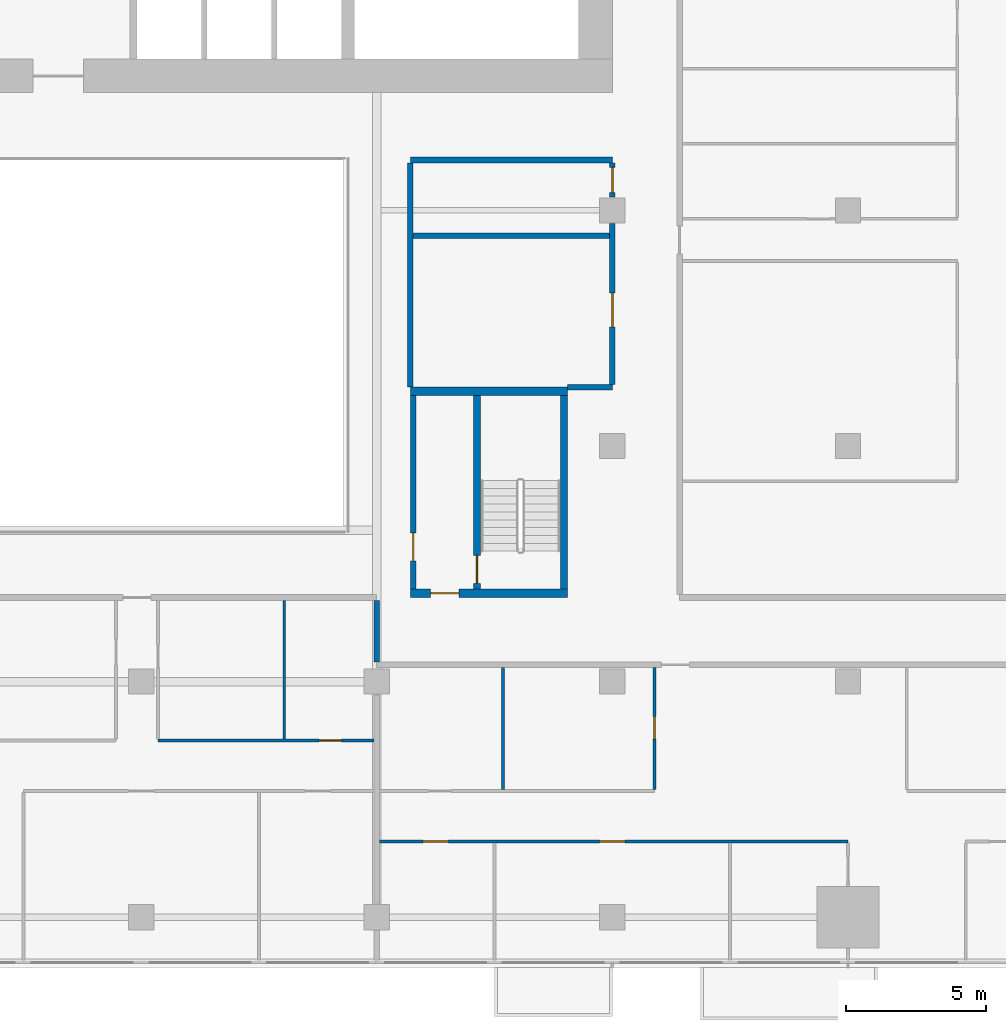
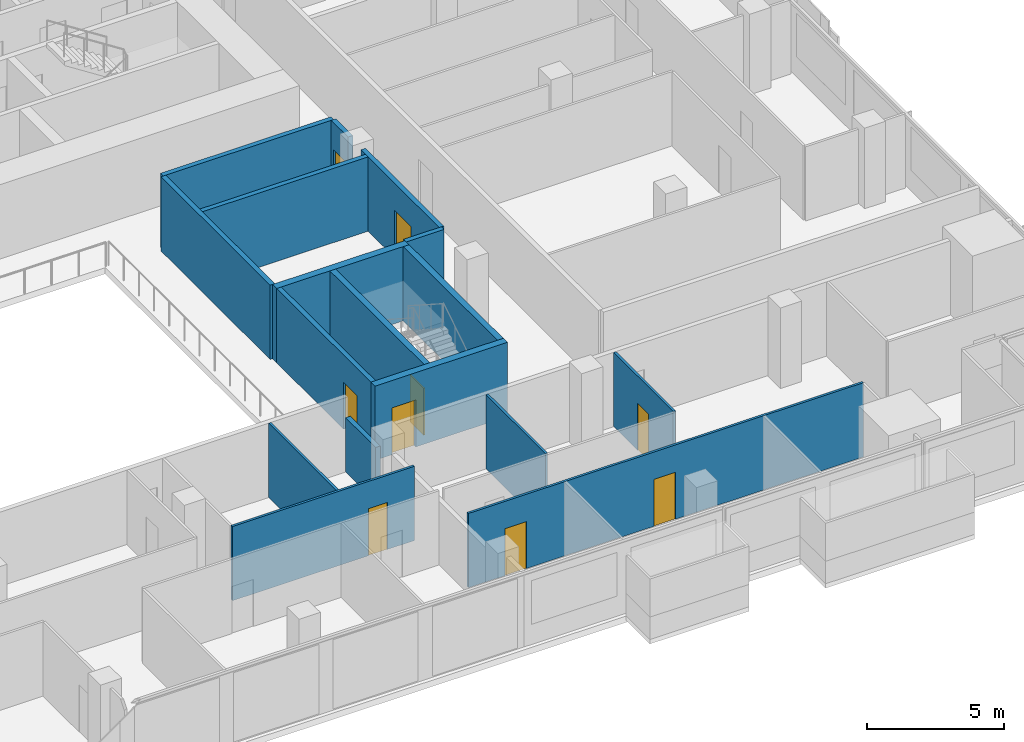
# One storey, part 20 of 29: 17 walls, 9 doors, 9 openings.
"""IFC4 building model written with IfcOpenShell, lengths in metres."""

from ifc_helpers import new_model, si_unit, direction, frame, frame_2d, origin, place, context, subcontext, project, spatial, rectangle, extrude, material, layer, layer_set, type_object, element, fill, save


model = new_model("IFC4")

# Units and contexts
model_context = context("Model", 3, precision=1e-05, world=origin(), true_north=direction((0.0, 1.0)))
body_context = subcontext(model_context, "Body", "Model", "MODEL_VIEW")
ifc_project = project(units=[si_unit("LENGTHUNIT", "METRE"), si_unit("AREAUNIT", "SQUARE_METRE"), si_unit("VOLUMEUNIT", "CUBIC_METRE"), si_unit("PLANEANGLEUNIT", "RADIAN"), si_unit("MASSUNIT", "GRAM", prefix="KILO")], contexts=[model_context])

# Site, building, storey
site_placement = place(None, origin())
site = spatial("IfcSite", under=ifc_project, at=site_placement, CompositionType="ELEMENT")
building_placement = place(site_placement, origin())
building = spatial("IfcBuilding", under=site, at=building_placement, Name="Saffron Gate Tower", CompositionType="ELEMENT")
storey_placement = place(building_placement, frame((0.0, 0.0, 55.199951171875)))
storey = spatial("IfcBuildingStorey", under=building, at=storey_placement, Name="L12", CompositionType="ELEMENT", Elevation=55.199951171875)

# Wall, opening, door
ifc_material_1 = material(Name="Gypsum board partition on steel studs", Category="steel")
ifc_layer_1 = layer(ifc_material_1, 0.199951171875)
ifc_layer_set_1 = layer_set([ifc_layer_1], Name="CW10 Core partition 200")
wall_type_1 = type_object("IfcWallType", Name="CW10 Core partition 200", PredefinedType="PARTITIONING", material=ifc_layer_set_1)
wall_1_placement = place(storey_placement, frame((101.5, 43.5, 0.0), z_axis=(0.0, 0.0, 1.0), x_axis=(0.0, 1.0, 0.0)))
wall_1 = element("IfcWall", 1, at=wall_1_placement, inside=storey, type_object=wall_type_1, Name="Wall CW10-L12-E-2", PredefinedType="PARTITIONING", context=body_context, shape_type="SweptSolid", body=[
    extrude(rectangle(XDim=6.89990234375, YDim=0.199951171875, at=frame_2d((3.449951171875, 0.0))), origin(), (0.0, 0.0, 1.0), 3.320068359375),
])
opening_1_placement = place(wall_1_placement, frame((1.0, 0.0, 0.0)))
opening_1 = element("IfcOpeningElement", 2, at=opening_1_placement, cuts=wall_1, Name="Opening CR-22", PredefinedType="OPENING", context=body_context, shape_type="SweptSolid", body=[
    extrude(rectangle(XDim=1.0, YDim=2.10009765625, at=frame_2d((0.5, 1.050048828125))), frame((0.0, 0.10986328125, 0.0), z_axis=(0.0, -1.0, 0.0), x_axis=(1.0, 0.0, 0.0)), (0.0, 0.0, 1.0), 0.219970703125),
])
ifc_material_2 = material(Name="Steel fire door set", Category="steel")
door_type_1 = type_object("IfcDoorType", Name="CD4 Lobby door 1000x2100 EI 120", OperationType="NOTDEFINED", PredefinedType="DOOR", material=ifc_material_2)
door_1_placement = place(opening_1_placement, origin())
door_1 = element("IfcDoor", 3, at=door_1_placement, inside=storey, type_object=door_type_1, Name="DOOR CR-22", OperationType="SINGLE_SWING_LEFT", OverallHeight=2.10009765625, OverallWidth=1.0, PredefinedType="DOOR", context=body_context, shape_type="SweptSolid", body=[
    extrude(rectangle(XDim=1.0, YDim=2.10009765625, at=frame_2d((0.5, 1.050048828125))), frame((0.0, 0.02490234375, 0.0), z_axis=(0.0, -1.0, 0.0), x_axis=(1.0, 0.0, 0.0)), (0.0, 0.0, 1.0), 0.050048828125),
])
fill(opening_1, door_1)

ifc_material_3 = material(Name="Concrete C70", Category="concrete")
ifc_layer_2 = layer(ifc_material_3, 0.25)
ifc_layer_set_2 = layer_set([ifc_layer_2], Name="CW2 RC core wall 250 C70")
wall_type_2 = type_object("IfcWallType", Name="CW2 RC core wall 250 C70", PredefinedType="SOLIDWALL", material=ifc_layer_set_2)
wall_2_placement = place(storey_placement, frame((103.77490234375, 43.5, 0.0), z_axis=(0.0, 0.0, 1.0), x_axis=(0.0, 1.0, 0.0)))
wall_2 = element("IfcWall", 4, at=wall_2_placement, inside=storey, type_object=wall_type_2, Name="Wall CW2-L12-E-3", PredefinedType="SOLIDWALL", context=body_context, shape_type="SweptSolid", body=[
    extrude(rectangle(XDim=6.89990234375, YDim=0.25, at=frame_2d((3.449951171875, 0.0))), origin(), (0.0, 0.0, 1.0), 3.320068359375),
])
opening_2_placement = place(wall_2_placement, frame((0.199951171875, 0.0, 0.0)))
opening_2 = element("IfcOpeningElement", 5, at=opening_2_placement, cuts=wall_2, Name="Opening CR-23", PredefinedType="OPENING", context=body_context, shape_type="SweptSolid", body=[
    extrude(rectangle(XDim=1.0, YDim=2.10009765625, at=frame_2d((0.5, 1.050048828125))), frame((0.0, 0.135009765625, 0.0), z_axis=(0.0, -1.0, 0.0), x_axis=(1.0, 0.0, 0.0)), (0.0, 0.0, 1.0), 0.27001953125),
])
door_type_2 = type_object("IfcDoorType", Name="CD5 Stair door 1000x2100 EI 120", OperationType="NOTDEFINED", PredefinedType="DOOR", material=ifc_material_2)
door_2_placement = place(opening_2_placement, origin())
door_2 = element("IfcDoor", 6, at=door_2_placement, inside=storey, type_object=door_type_2, Name="DOOR CR-23", OperationType="SINGLE_SWING_RIGHT", OverallHeight=2.10009765625, OverallWidth=1.0, PredefinedType="DOOR", context=body_context, shape_type="SweptSolid", body=[
    extrude(rectangle(XDim=1.0, YDim=2.10009765625, at=frame_2d((0.5, 1.050048828125))), frame((0.0, 0.02490234375, 0.0), z_axis=(0.0, -1.0, 0.0), x_axis=(1.0, 0.0, 0.0)), (0.0, 0.0, 1.0), 0.050048828125),
])
fill(opening_2, door_2)

# Wall
wall_3_placement = place(storey_placement, frame((106.875, 43.5, 0.0), z_axis=(0.0, 0.0, 1.0), x_axis=(0.0, 1.0, 0.0)))
element("IfcWall", 7, at=wall_3_placement, inside=storey, type_object=wall_type_2, Name="Wall CW2-L12-E-4", PredefinedType="SOLIDWALL", context=body_context, shape_type="SweptSolid", body=[
    extrude(rectangle(XDim=6.89990234375, YDim=0.25, at=frame_2d((3.449951171875, 0.0))), origin(), (0.0, 0.0, 1.0), 3.320068359375),
])

# Wall, opening, door
ifc_layer_3 = layer(ifc_material_3, 0.300048828125)
ifc_layer_set_3 = layer_set([ifc_layer_3], Name="CW5 RC core wall 300 C70")
wall_type_3 = type_object("IfcWallType", Name="CW5 RC core wall 300 C70", PredefinedType="SOLIDWALL", material=ifc_layer_set_3)
wall_4_placement = place(storey_placement, frame((101.39990234375, 43.35009765625, 0.0), z_axis=(0.0, 0.0, 1.0), x_axis=(1.0, 0.0, 0.0)))
wall_4 = element("IfcWall", 8, at=wall_4_placement, inside=storey, type_object=wall_type_3, Name="Wall CW5-L12-E-1", PredefinedType="SOLIDWALL", context=body_context, shape_type="SweptSolid", body=[
    extrude(rectangle(XDim=5.60009765625, YDim=0.300048828125, at=frame_2d((2.800048828125, 0.0))), origin(), (0.0, 0.0, 1.0), 3.320068359375),
])
opening_3_placement = place(wall_4_placement, frame((0.72509765625, 0.0, 0.0)))
opening_3 = element("IfcOpeningElement", 9, at=opening_3_placement, cuts=wall_4, Name="Opening CR-21", PredefinedType="OPENING", context=body_context, shape_type="SweptSolid", body=[
    extrude(rectangle(XDim=1.0, YDim=2.10009765625, at=frame_2d((0.5, 1.050048828125))), frame((0.0, 0.16015625, 0.0), z_axis=(0.0, -1.0, 0.0), x_axis=(1.0, 0.0, 0.0)), (0.0, 0.0, 1.0), 0.320068359375),
])
door_3_placement = place(opening_3_placement, origin())
door_3 = element("IfcDoor", 10, at=door_3_placement, inside=storey, type_object=door_type_1, Name="DOOR CR-21", OperationType="SINGLE_SWING_RIGHT", OverallHeight=2.10009765625, OverallWidth=1.0, PredefinedType="DOOR", context=body_context, shape_type="SweptSolid", body=[
    extrude(rectangle(XDim=1.0, YDim=2.10009765625, at=frame_2d((0.5, 1.050048828125))), frame((0.0, 0.02490234375, 0.0), z_axis=(0.0, -1.0, 0.0), x_axis=(1.0, 0.0, 0.0)), (0.0, 0.0, 1.0), 0.050048828125),
])
fill(opening_3, door_3)

# Wall
wall_5_placement = place(storey_placement, frame((101.39990234375, 50.550048828125, 0.0), z_axis=(0.0, 0.0, 1.0), x_axis=(1.0, 0.0, 0.0)))
element("IfcWall", 11, at=wall_5_placement, inside=storey, type_object=wall_type_3, Name="Wall CW5-L12-E-5", PredefinedType="SOLIDWALL", context=body_context, shape_type="SweptSolid", body=[
    extrude(rectangle(XDim=5.60009765625, YDim=0.300048828125, at=frame_2d((2.800048828125, 0.0))), origin(), (0.0, 0.0, 1.0), 3.320068359375),
])

# Wall, openings, doors
ifc_material_4 = material(Name="Plasterboard on steel studs", Category="steel")
ifc_layer_4 = layer(ifc_material_4, 0.10009765625)
ifc_layer_set_4 = layer_set([ifc_layer_4], Name="PW1 Partition 100")
wall_type_4 = type_object("IfcWallType", Name="PW1 Partition 100", PredefinedType="PARTITIONING", material=ifc_layer_set_4)
wall_6_placement = place(storey_placement, frame((117.0, 34.5, 0.0), z_axis=(0.0, 0.0, 1.0), x_axis=(-1.0, 0.0, 0.0)))
wall_6 = element("IfcWall", 12, at=wall_6_placement, inside=storey, type_object=wall_type_4, Name="Partition A2-3", PredefinedType="PARTITIONING", context=body_context, shape_type="SweptSolid", body=[
    extrude(rectangle(XDim=16.699951171875, YDim=0.10009765625, at=frame_2d((8.35009765625, 0.0))), origin(), (0.0, 0.0, 1.0), 3.320068359375),
])
opening_4_placement = place(wall_6_placement, frame((7.949951171875, 0.0, 0.0)))
opening_4 = element("IfcOpeningElement", 13, at=opening_4_placement, cuts=wall_6, Name="Opening A2-17", PredefinedType="OPENING", context=body_context, shape_type="SweptSolid", body=[
    extrude(rectangle(XDim=0.89990234375, YDim=2.10009765625, at=frame_2d((0.449951171875, 1.050048828125))), frame((0.0, 0.06005859375, 0.0), z_axis=(0.0, -1.0, 0.0), x_axis=(1.0, 0.0, 0.0)), (0.0, 0.0, 1.0), 0.1201171875),
])
opening_5_placement = place(wall_6_placement, frame((14.25, 0.0, 0.0)))
opening_5 = element("IfcOpeningElement", 14, at=opening_5_placement, cuts=wall_6, Name="Opening A2-16", PredefinedType="OPENING", context=body_context, shape_type="SweptSolid", body=[
    extrude(rectangle(XDim=0.89990234375, YDim=2.10009765625, at=frame_2d((0.449951171875, 1.050048828125))), frame((0.0, 0.06005859375, 0.0), z_axis=(0.0, -1.0, 0.0), x_axis=(1.0, 0.0, 0.0)), (0.0, 0.0, 1.0), 0.1201171875),
])
ifc_material_5 = material(Name="Timber door set", Category="wood")
door_type_3 = type_object("IfcDoorType", Name="RD1 Room door 900x2100", OperationType="NOTDEFINED", PredefinedType="DOOR", material=ifc_material_5)
door_4_placement = place(opening_4_placement, origin())
door_4 = element("IfcDoor", 15, at=door_4_placement, inside=storey, type_object=door_type_3, Name="Door A2-17", OperationType="SINGLE_SWING_LEFT", OverallHeight=2.10009765625, OverallWidth=0.89990234375, PredefinedType="DOOR", context=body_context, shape_type="SweptSolid", body=[
    extrude(rectangle(XDim=0.89990234375, YDim=2.10009765625, at=frame_2d((0.449951171875, 1.050048828125))), frame((0.0, 0.02490234375, 0.0), z_axis=(0.0, -1.0, 0.0), x_axis=(1.0, 0.0, 0.0)), (0.0, 0.0, 1.0), 0.050048828125),
])
fill(opening_4, door_4)
door_5_placement = place(opening_5_placement, origin())
door_5 = element("IfcDoor", 16, at=door_5_placement, inside=storey, type_object=door_type_3, Name="Door A2-16", OperationType="SINGLE_SWING_RIGHT", OverallHeight=2.10009765625, OverallWidth=0.89990234375, PredefinedType="DOOR", context=body_context, shape_type="SweptSolid", body=[
    extrude(rectangle(XDim=0.89990234375, YDim=2.10009765625, at=frame_2d((0.449951171875, 1.050048828125))), frame((0.0, 0.02490234375, 0.0), z_axis=(0.0, -1.0, 0.0), x_axis=(1.0, 0.0, 0.0)), (0.0, 0.0, 1.0), 0.050048828125),
])
fill(opening_5, door_5)

# Wall, opening, door
wall_7_placement = place(storey_placement, frame((92.39990234375, 38.10009765625, 0.0), z_axis=(0.0, 0.0, 1.0), x_axis=(1.0, 0.0, 0.0)))
wall_7 = element("IfcWall", 17, at=wall_7_placement, inside=storey, type_object=wall_type_4, Name="Partition A2-8", PredefinedType="PARTITIONING", context=body_context, shape_type="SweptSolid", body=[
    extrude(rectangle(XDim=7.7001953125, YDim=0.10009765625, at=frame_2d((3.85009765625, 0.0))), origin(), (0.0, 0.0, 1.0), 3.320068359375),
])
opening_6_placement = place(wall_7_placement, frame((5.75, 0.0, 0.0)))
opening_6 = element("IfcOpeningElement", 18, at=opening_6_placement, cuts=wall_7, Name="Opening A2-36", PredefinedType="OPENING", context=body_context, shape_type="SweptSolid", body=[
    extrude(rectangle(XDim=0.800048828125, YDim=2.10009765625, at=frame_2d((0.39990234375, 1.050048828125))), frame((0.0, 0.06005859375, 0.0), z_axis=(0.0, -1.0, 0.0), x_axis=(1.0, 0.0, 0.0)), (0.0, 0.0, 1.0), 0.1201171875),
])
door_type_4 = type_object("IfcDoorType", Name="RD2 Bathroom door 800x2100", OperationType="NOTDEFINED", PredefinedType="DOOR", material=ifc_material_5)
door_6_placement = place(opening_6_placement, origin())
door_6 = element("IfcDoor", 19, at=door_6_placement, inside=storey, type_object=door_type_4, Name="Door A2-36", OperationType="SINGLE_SWING_RIGHT", OverallHeight=2.10009765625, OverallWidth=0.800048828125, PredefinedType="DOOR", context=body_context, shape_type="SweptSolid", body=[
    extrude(rectangle(XDim=0.800048828125, YDim=2.10009765625, at=frame_2d((0.39990234375, 1.050048828125))), frame((0.0, 0.02490234375, 0.0), z_axis=(0.0, -1.0, 0.0), x_axis=(1.0, 0.0, 0.0)), (0.0, 0.0, 1.0), 0.050048828125),
])
fill(opening_6, door_6)

# Walls
wall_8_placement = place(storey_placement, frame((96.89990234375, 43.10009765625, 0.0), z_axis=(0.0, 0.0, 1.0), x_axis=(0.0, -1.0, 0.0)))
element("IfcWall", 20, at=wall_8_placement, inside=storey, type_object=wall_type_4, Name="Partition A2-78", PredefinedType="PARTITIONING", context=body_context, shape_type="SweptSolid", body=[
    extrude(rectangle(XDim=4.9501953125, YDim=0.10009765625, at=frame_2d((2.47509765625, 0.0))), origin(), (0.0, 0.0, 1.0), 3.320068359375),
])
wall_9_placement = place(storey_placement, frame((104.699951171875, 40.699951171875, 0.0), z_axis=(0.0, 0.0, 1.0), x_axis=(0.0, -1.0, 0.0)))
element("IfcWall", 21, at=wall_9_placement, inside=storey, type_object=wall_type_4, Name="Partition A2-84", PredefinedType="PARTITIONING", context=body_context, shape_type="SweptSolid", body=[
    extrude(rectangle(XDim=4.349853515625, YDim=0.10009765625, at=frame_2d((2.1748046875, 0.0))), origin(), (0.0, 0.0, 1.0), 3.320068359375),
])

# Wall, opening, door
wall_10_placement = place(storey_placement, frame((110.10009765625, 36.35009765625, 0.0), z_axis=(0.0, 0.0, 1.0), x_axis=(0.0, 1.0, 0.0)))
wall_10 = element("IfcWall", 22, at=wall_10_placement, inside=storey, type_object=wall_type_4, Name="Partition A2-87", PredefinedType="PARTITIONING", context=body_context, shape_type="SweptSolid", body=[
    extrude(rectangle(XDim=4.349853515625, YDim=0.10009765625, at=frame_2d((2.1748046875, 0.0))), origin(), (0.0, 0.0, 1.0), 3.320068359375),
])
opening_7_placement = place(wall_10_placement, frame((1.800048828125, 0.0, 0.0)))
opening_7 = element("IfcOpeningElement", 23, at=opening_7_placement, cuts=wall_10, Name="Opening A2-38", PredefinedType="OPENING", context=body_context, shape_type="SweptSolid", body=[
    extrude(rectangle(XDim=0.800048828125, YDim=2.10009765625, at=frame_2d((0.39990234375, 1.050048828125))), frame((0.0, 0.06005859375, 0.0), z_axis=(0.0, -1.0, 0.0), x_axis=(1.0, 0.0, 0.0)), (0.0, 0.0, 1.0), 0.1201171875),
])
door_7_placement = place(opening_7_placement, origin())
door_7 = element("IfcDoor", 24, at=door_7_placement, inside=storey, type_object=door_type_4, Name="Door A2-38", OperationType="SINGLE_SWING_RIGHT", OverallHeight=2.10009765625, OverallWidth=0.800048828125, PredefinedType="DOOR", context=body_context, shape_type="SweptSolid", body=[
    extrude(rectangle(XDim=0.800048828125, YDim=2.10009765625, at=frame_2d((0.39990234375, 1.050048828125))), frame((0.0, 0.02490234375, 0.0), z_axis=(0.0, -1.0, 0.0), x_axis=(1.0, 0.0, 0.0)), (0.0, 0.0, 1.0), 0.050048828125),
])
fill(opening_7, door_7)

# Walls
ifc_material_6 = material(Name="Clay brick masonry, rendered", Category="masonry")
ifc_layer_5 = layer(ifc_material_6, 0.199951171875)
ifc_layer_set_5 = layer_set([ifc_layer_5], Name="PW3 Corridor wall 200")
wall_type_5 = type_object("IfcWallType", Name="PW3 Corridor wall 200", PredefinedType="PARTITIONING", material=ifc_layer_set_5)
wall_11_placement = place(storey_placement, frame((107.0, 50.699951171875, 0.0), z_axis=(0.0, 0.0, 1.0), x_axis=(1.0, 0.0, 0.0)))
element("IfcWall", 25, at=wall_11_placement, inside=storey, type_object=wall_type_5, Name="Wall A2-25", PredefinedType="PARTITIONING", context=body_context, shape_type="SweptSolid", body=[
    extrude(rectangle(XDim=1.60009765625, YDim=0.199951171875, at=frame_2d((0.800048828125, 0.0))), origin(), (0.0, 0.0, 1.0), 3.320068359375),
])
wall_12_placement = place(storey_placement, frame((101.39990234375, 58.800048828125, 0.0), z_axis=(0.0, 0.0, 1.0), x_axis=(1.0, 0.0, 0.0)))
element("IfcWall", 26, at=wall_12_placement, inside=storey, type_object=wall_type_5, Name="Wall A2-38", PredefinedType="PARTITIONING", context=body_context, shape_type="SweptSolid", body=[
    extrude(rectangle(XDim=7.2001953125, YDim=0.199951171875, at=frame_2d((3.60009765625, 0.0))), origin(), (0.0, 0.0, 1.0), 3.320068359375),
])
wall_13_placement = place(storey_placement, frame((100.199951171875, 43.10009765625, 0.0), z_axis=(0.0, 0.0, 1.0), x_axis=(0.0, -1.0, 0.0)))
element("IfcWall", 27, at=wall_13_placement, inside=storey, type_object=wall_type_5, Name="Wall A2-79", PredefinedType="PARTITIONING", context=body_context, shape_type="SweptSolid", body=[
    extrude(rectangle(XDim=2.2001953125, YDim=0.199951171875, at=frame_2d((1.10009765625, 0.0))), origin(), (0.0, 0.0, 1.0), 2.429931640625),
])
wall_14_placement = place(storey_placement, frame((101.39990234375, 58.699951171875, 0.0), z_axis=(0.0, 0.0, 1.0), x_axis=(0.0, -1.0, 0.0)))
element("IfcWall", 28, at=wall_14_placement, inside=storey, type_object=wall_type_5, Name="Wall A2-82", PredefinedType="PARTITIONING", context=body_context, shape_type="SweptSolid", body=[
    extrude(rectangle(XDim=8.0, YDim=0.199951171875, at=frame_2d((4.0, 0.0))), origin(), (0.0, 0.0, 1.0), 3.320068359375),
])

# Wall, opening, door
wall_15_placement = place(storey_placement, frame((108.60009765625, 50.800048828125, 0.0), z_axis=(0.0, 0.0, 1.0), x_axis=(0.0, 1.0, 0.0)))
wall_15 = element("IfcWall", 29, at=wall_15_placement, inside=storey, type_object=wall_type_5, Name="Wall A2-85", PredefinedType="PARTITIONING", context=body_context, shape_type="SweptSolid", body=[
    extrude(rectangle(XDim=5.72998046875, YDim=0.199951171875, at=frame_2d((2.864990234375, 0.0))), origin(), (0.0, 0.0, 1.0), 3.320068359375),
])
opening_8_placement = place(wall_15_placement, frame((2.050048828125, 0.0, 0.0)))
opening_8 = element("IfcOpeningElement", 30, at=opening_8_placement, cuts=wall_15, Name="Opening A2-45", PredefinedType="OPENING", context=body_context, shape_type="SweptSolid", body=[
    extrude(rectangle(XDim=1.199951171875, YDim=2.10009765625, at=frame_2d((0.60009765625, 1.050048828125))), frame((0.0, 0.10986328125, 0.0), z_axis=(0.0, -1.0, 0.0), x_axis=(1.0, 0.0, 0.0)), (0.0, 0.0, 1.0), 0.219970703125),
])
door_type_5 = type_object("IfcDoorType", Name="HD1 Hall door 1200x2100", OperationType="NOTDEFINED", PredefinedType="DOOR", material=ifc_material_5)
door_8_placement = place(opening_8_placement, origin())
door_8 = element("IfcDoor", 31, at=door_8_placement, inside=storey, type_object=door_type_5, Name="Door A2-45", OperationType="SINGLE_SWING_RIGHT", OverallHeight=2.10009765625, OverallWidth=1.199951171875, PredefinedType="DOOR", context=body_context, shape_type="SweptSolid", body=[
    extrude(rectangle(XDim=1.199951171875, YDim=2.10009765625, at=frame_2d((0.60009765625, 1.050048828125))), frame((0.0, 0.02490234375, 0.0), z_axis=(0.0, -1.0, 0.0), x_axis=(1.0, 0.0, 0.0)), (0.0, 0.0, 1.0), 0.050048828125),
])
fill(opening_8, door_8)

wall_16_placement = place(storey_placement, frame((108.60009765625, 57.469970703125, 0.0), z_axis=(0.0, 0.0, 1.0), x_axis=(0.0, 1.0, 0.0)))
wall_16 = element("IfcWall", 32, at=wall_16_placement, inside=storey, type_object=wall_type_5, Name="Wall A2-86", PredefinedType="PARTITIONING", context=body_context, shape_type="SweptSolid", body=[
    extrude(rectangle(XDim=1.22998046875, YDim=0.199951171875, at=frame_2d((0.614990234375, 0.0))), origin(), (0.0, 0.0, 1.0), 3.320068359375),
])
opening_9_placement = place(wall_16_placement, frame((0.1650390625, 0.0, 0.0)))
opening_9 = element("IfcOpeningElement", 33, at=opening_9_placement, cuts=wall_16, Name="Opening A2-32", PredefinedType="OPENING", context=body_context, shape_type="SweptSolid", body=[
    extrude(rectangle(XDim=0.89990234375, YDim=2.10009765625, at=frame_2d((0.449951171875, 1.050048828125))), frame((0.0, 0.10986328125, 0.0), z_axis=(0.0, -1.0, 0.0), x_axis=(1.0, 0.0, 0.0)), (0.0, 0.0, 1.0), 0.219970703125),
])
door_9_placement = place(opening_9_placement, origin())
door_9 = element("IfcDoor", 34, at=door_9_placement, inside=storey, type_object=door_type_3, Name="Door A2-32", OperationType="SINGLE_SWING_RIGHT", OverallHeight=2.10009765625, OverallWidth=0.89990234375, PredefinedType="DOOR", context=body_context, shape_type="SweptSolid", body=[
    extrude(rectangle(XDim=0.89990234375, YDim=2.10009765625, at=frame_2d((0.449951171875, 1.050048828125))), frame((0.0, 0.02490234375, 0.0), z_axis=(0.0, -1.0, 0.0), x_axis=(1.0, 0.0, 0.0)), (0.0, 0.0, 1.0), 0.050048828125),
])
fill(opening_9, door_9)

# Wall
ifc_layer_6 = layer(ifc_material_6, 0.199951171875)
ifc_layer_set_6 = layer_set([ifc_layer_6], Name="PW5 Room wall 200")
wall_type_6 = type_object("IfcWallType", Name="PW5 Room wall 200", PredefinedType="PARTITIONING", material=ifc_layer_set_6)
wall_17_placement = place(storey_placement, frame((101.5, 56.10009765625, 0.0), z_axis=(0.0, 0.0, 1.0), x_axis=(1.0, 0.0, 0.0)))
element("IfcWall", 35, at=wall_17_placement, inside=storey, type_object=wall_type_6, Name="Wall A2-29", PredefinedType="PARTITIONING", context=body_context, shape_type="SweptSolid", body=[
    extrude(rectangle(XDim=7.0, YDim=0.199951171875, at=frame_2d((3.5, 0.0))), origin(), (0.0, 0.0, 1.0), 3.320068359375),
])

save(model, "model.ifc")
